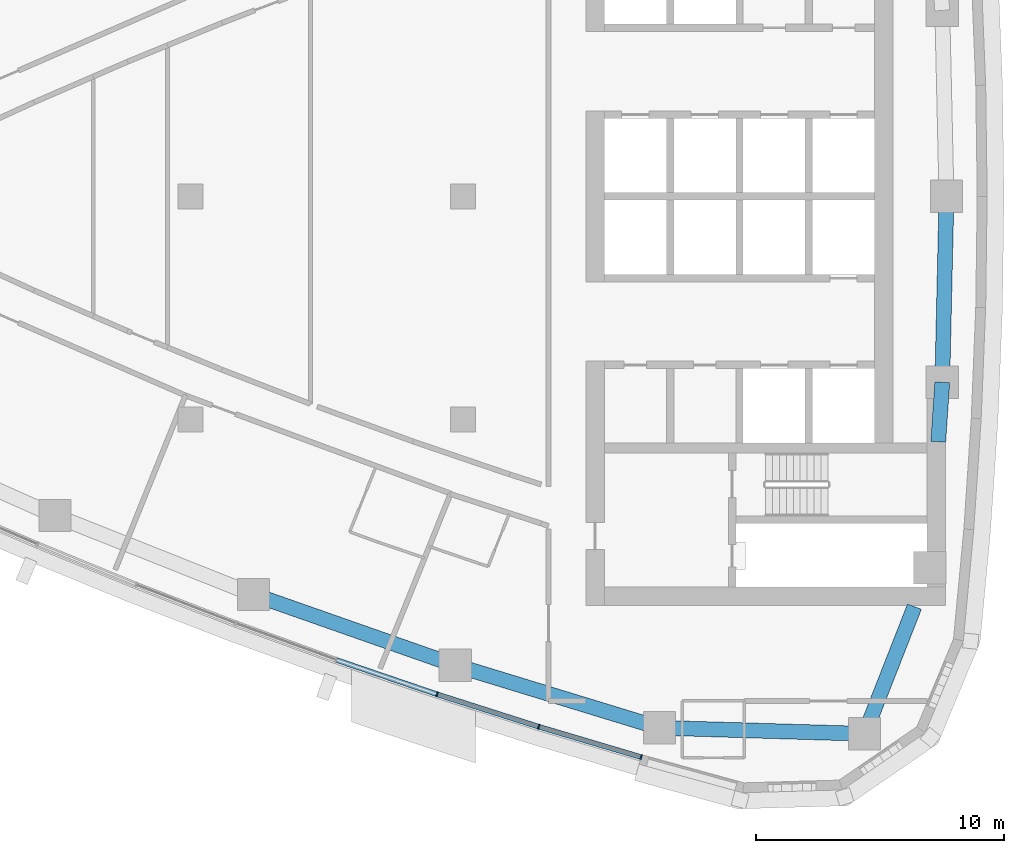
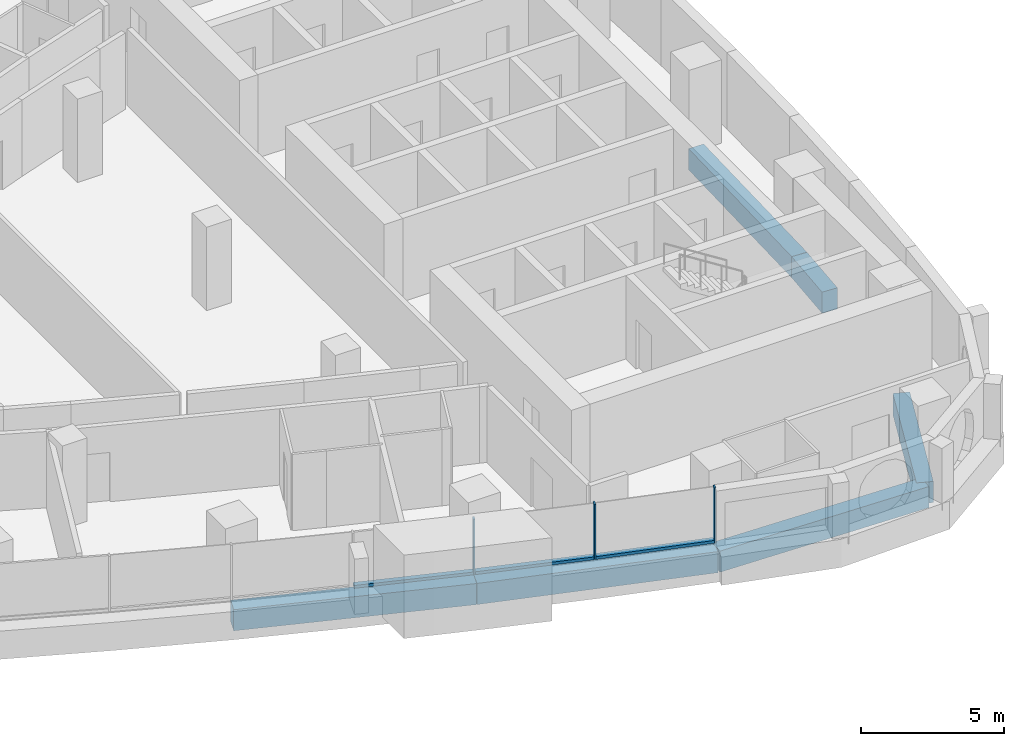
# One storey, part 4 of 16: 6 beams, 6 members, 2 elements without a shape of their own.
"""IFC4 building model written with IfcOpenShell, lengths in metres."""

from ifc_helpers import new_model, si_unit, direction, frame, origin, origin_2d, place, context, subcontext, project, spatial, rectangle, extrude, material, layer, layer_set, material_profile, profile_set, type_object, element, aggregate, save


model = new_model("IFC4")

# Units and contexts
model_context = context("Model", 3, precision=1e-05, world=origin(), true_north=direction((0.0, 1.0)))
body_context = subcontext(model_context, "Body", "Model", "MODEL_VIEW")
ifc_project = project(units=[si_unit("LENGTHUNIT", "METRE"), si_unit("AREAUNIT", "SQUARE_METRE"), si_unit("VOLUMEUNIT", "CUBIC_METRE"), si_unit("PLANEANGLEUNIT", "RADIAN"), si_unit("MASSUNIT", "GRAM", prefix="KILO")], contexts=[model_context])

# Site, building, storey
site_placement = place(None, origin())
site = spatial("IfcSite", under=ifc_project, at=site_placement, CompositionType="ELEMENT")
building_placement = place(site_placement, origin())
building = spatial("IfcBuilding", under=site, at=building_placement, Name="Ostrand Prow Hotel Tower", CompositionType="ELEMENT")
storey_placement = place(building_placement, frame((0.0, 0.0, 189.699951171875)))
storey = spatial("IfcBuildingStorey", under=building, at=storey_placement, Name="L47", CompositionType="ELEMENT", Elevation=189.699951171875)

# Beams
ifc_material_1 = material(Name="Concrete C60/75", Category="concrete")
ifc_material_profile_1 = material_profile(ifc_material_1, rectangle(XDim=0.60009765625, YDim=0.89990234375, at=origin_2d()), Name="RC 600x900")
ifc_profile_set_1 = profile_set([ifc_material_profile_1], Name="Concrete C60/75")
beam_type = type_object("IfcBeamType", Name="Edge beam 600x900 C60/75", PredefinedType="SPANDREL", material=ifc_profile_set_1)
for number, where, z_axis, x_axis, name in (
    (1, (36.547119140625, -16.060791015625, -0.75), (0.943593618681, -0.33110584831, 0.0), (0.33110584831, 0.943593618681, 0.0), "Edge beam S4-S5"),
    (2, (44.6826171875, -18.91552734375, -0.75), (0.956245556413, -0.292565267659, 0.0), (0.292565267659, 0.956245556413, 0.0), "Edge beam S5-S6"),
):
    element("IfcBeam", number, at=place(storey_placement, frame(where, z_axis=z_axis, x_axis=x_axis)), inside=storey, type_object=beam_type, Name=name, PredefinedType="SPANDREL", context=body_context, shape_type="SweptSolid", body=[
        extrude(rectangle(XDim=0.60009765625, YDim=0.89990234375, at=origin_2d()), origin(), (0.0, 0.0, 1.0), 8.621826171875),
    ])
beam_1_placement = place(storey_placement, frame((52.92724609375, -21.43798828125, -0.75), z_axis=(0.999575901438, -0.029120735993, 0.0), x_axis=(0.029120735993, 0.999575901438, 0.0)))
element("IfcBeam", 3, at=beam_1_placement, inside=storey, type_object=beam_type, Name="Edge beam S6-SE", PredefinedType="SPANDREL", context=body_context, shape_type="SweptSolid", body=[
    extrude(rectangle(XDim=0.60009765625, YDim=0.89990234375, at=origin_2d()), origin(), (0.0, 0.0, 1.0), 8.274658203125),
])
beam_2_placement = place(storey_placement, frame((61.198486328125, -21.678955078125, -0.75), z_axis=(0.364802049817, 0.931085100541, 0.0), x_axis=(-0.931085100541, 0.364802049817, 0.0)))
element("IfcBeam", 4, at=beam_2_placement, inside=storey, type_object=beam_type, Name="Edge beam SE-B1", PredefinedType="SPANDREL", context=body_context, shape_type="SweptSolid", body=[
    extrude(rectangle(XDim=0.60009765625, YDim=0.89990234375, at=origin_2d()), origin(), (0.0, 0.0, 1.0), 5.508544921875),
])
beam_3_placement = place(storey_placement, frame((64.167236328125, -9.89990234375, -0.75), z_axis=(0.067778284608, 0.997700408006, 0.0), x_axis=(-0.997700408006, 0.067778284608, 0.0)))
element("IfcBeam", 5, at=beam_3_placement, inside=storey, type_object=beam_type, Name="Edge beam B1-B2", PredefinedType="SPANDREL", context=body_context, shape_type="SweptSolid", body=[
    extrude(rectangle(XDim=0.60009765625, YDim=0.89990234375, at=origin_2d()), origin(), (0.0, 0.0, 1.0), 2.40625),
])
beam_4_placement = place(storey_placement, frame((64.330322265625, -7.499267578125, -0.75), z_axis=(0.022620118241, 0.999744132391, 0.0), x_axis=(-0.999744132391, 0.022620118241, 0.0)))
element("IfcBeam", 6, at=beam_4_placement, inside=storey, type_object=beam_type, Name="Edge beam B2-B3", PredefinedType="SPANDREL", context=body_context, shape_type="SweptSolid", body=[
    extrude(rectangle(XDim=0.60009765625, YDim=0.89990234375, at=origin_2d()), origin(), (0.0, 0.0, 1.0), 7.501220703125),
])

# Curtain wall, member
ifc_material_2 = material(Name="Insulated glass in bronze anodised frame", Category="glass")
ifc_layer = layer(ifc_material_2, 0.199951171875)
ifc_layer_set = layer_set([ifc_layer], Name="Insulated glass in bronze anodised frame")
curtain_wall_type = type_object("IfcCurtainWallType", Name="Strip curtain wall, fritted glass over bronze spandrel", PredefinedType="NOTDEFINED", material=ifc_layer_set)
curtain_wall_1_placement = place(storey_placement, origin())
curtain_wall_1 = element("IfcCurtainWall", 7, at=curtain_wall_1_placement, inside=storey, type_object=curtain_wall_type, Name="CW1 run CWS4", PredefinedType="NOTDEFINED")
ifc_material_3 = material(Name="Bronze anodised aluminium", Category="aluminium")
ifc_material_profile_2 = material_profile(ifc_material_3, rectangle(XDim=0.199951171875, YDim=0.06005859375, at=origin_2d()), Name="Mullion 60x200 bronze anodised aluminium")
ifc_profile_set_2 = profile_set([ifc_material_profile_2], Name="Bronze anodised aluminium")
member_type_1 = type_object("IfcMemberType", Name="Mullion 60x200 bronze anodised aluminium", PredefinedType="MULLION", material=ifc_profile_set_2)
member_1_placement = place(storey_placement, frame((43.95361328125, -20.086669921875, 0.900146484375), z_axis=(0.0, 0.0, 1.0), x_axis=(0.322908332404, 0.946430245113, 0.0)))
member_1 = element("IfcMember", 8, at=member_1_placement, type_object=member_type_1, Name="CW1 mullion 3", PredefinedType="MULLION", context=body_context, shape_type="SweptSolid", body=[
    extrude(rectangle(XDim=0.199951171875, YDim=0.06005859375, at=origin_2d()), origin(), (0.0, 0.0, 1.0), 2.349853515625),
])

# Curtain wall, members
curtain_wall_2_placement = place(storey_placement, origin())
curtain_wall_2 = element("IfcCurtainWall", 9, at=curtain_wall_2_placement, inside=storey, type_object=curtain_wall_type, Name="CW1 run CWS5", PredefinedType="NOTDEFINED")
member_2_placement = place(storey_placement, frame((48.055419921875, -21.39453125, 0.900146484375), z_axis=(0.0, 0.0, 1.0), x_axis=(0.284544113619, 0.958662947758, 0.0)))
member_2 = element("IfcMember", 10, at=member_2_placement, type_object=member_type_1, Name="CW1 mullion 2", PredefinedType="MULLION", context=body_context, shape_type="SweptSolid", body=[
    extrude(rectangle(XDim=0.199951171875, YDim=0.06005859375, at=origin_2d()), origin(), (0.0, 0.0, 1.0), 2.349853515625),
])
member_3_placement = place(storey_placement, frame((52.182373046875, -22.619384765625, 0.900146484375), z_axis=(0.0, 0.0, 1.0), x_axis=(0.284544113619, 0.958662947758, 0.0)))
member_3 = element("IfcMember", 11, at=member_3_placement, type_object=member_type_1, Name="CW1 mullion 3", PredefinedType="MULLION", context=body_context, shape_type="SweptSolid", body=[
    extrude(rectangle(XDim=0.199951171875, YDim=0.06005859375, at=origin_2d()), origin(), (0.0, 0.0, 1.0), 2.349853515625),
])

# Member
ifc_material_4 = material(Name="Bronze anodised aluminium", Category="aluminium")
ifc_material_profile_3 = material_profile(ifc_material_4, rectangle(XDim=0.199951171875, YDim=0.1201171875, at=origin_2d()), Name="Transom 120x200 bronze anodised aluminium")
ifc_profile_set_3 = profile_set([ifc_material_profile_3], Name="Bronze anodised aluminium")
member_type_2 = type_object("IfcMemberType", Name="Transom 120x200 bronze anodised aluminium", PredefinedType="USERDEFINED", material=ifc_profile_set_3)
member_4_placement = place(storey_placement, frame((39.90771484375, -18.706298828125, 0.9599609375), z_axis=(0.946422327772, -0.322931536852, 0.0), x_axis=(0.322931536852, 0.946422327772, 0.0)))
member_4 = element("IfcMember", 12, at=member_4_placement, type_object=member_type_2, Name="CW1 transom 2.1", ObjectType="TRANSOM", PredefinedType="USERDEFINED", context=body_context, shape_type="SweptSolid", body=[
    extrude(rectangle(XDim=0.199951171875, YDim=0.1201171875, at=origin_2d()), origin(), (0.0, 0.0, 1.0), 4.2451171875),
])

aggregate(curtain_wall_1, [member_1, member_4])

member_5_placement = place(storey_placement, frame((43.982421875, -20.095947265625, 0.9599609375), z_axis=(0.952737512605, -0.303794720289, 0.0), x_axis=(0.303794720289, 0.952737512605, 0.0)))
member_5 = element("IfcMember", 13, at=member_5_placement, type_object=member_type_2, Name="CW1 transom 1.1", ObjectType="TRANSOM", PredefinedType="USERDEFINED", context=body_context, shape_type="SweptSolid", body=[
    extrude(rectangle(XDim=0.199951171875, YDim=0.1201171875, at=origin_2d()), origin(), (0.0, 0.0, 1.0), 4.244873046875),
])

member_6_placement = place(storey_placement, frame((48.083984375, -21.403076171875, 0.9599609375), z_axis=(0.958661084062, -0.284550392558, 0.0), x_axis=(0.284550392558, 0.958661084062, 0.0)))
member_6 = element("IfcMember", 14, at=member_6_placement, type_object=member_type_2, Name="CW1 transom 2.1", ObjectType="TRANSOM", PredefinedType="USERDEFINED", context=body_context, shape_type="SweptSolid", body=[
    extrude(rectangle(XDim=0.199951171875, YDim=0.1201171875, at=origin_2d()), origin(), (0.0, 0.0, 1.0), 4.245361328125),
])

aggregate(curtain_wall_2, [member_2, member_3, member_5, member_6])

save(model, "model.ifc")
